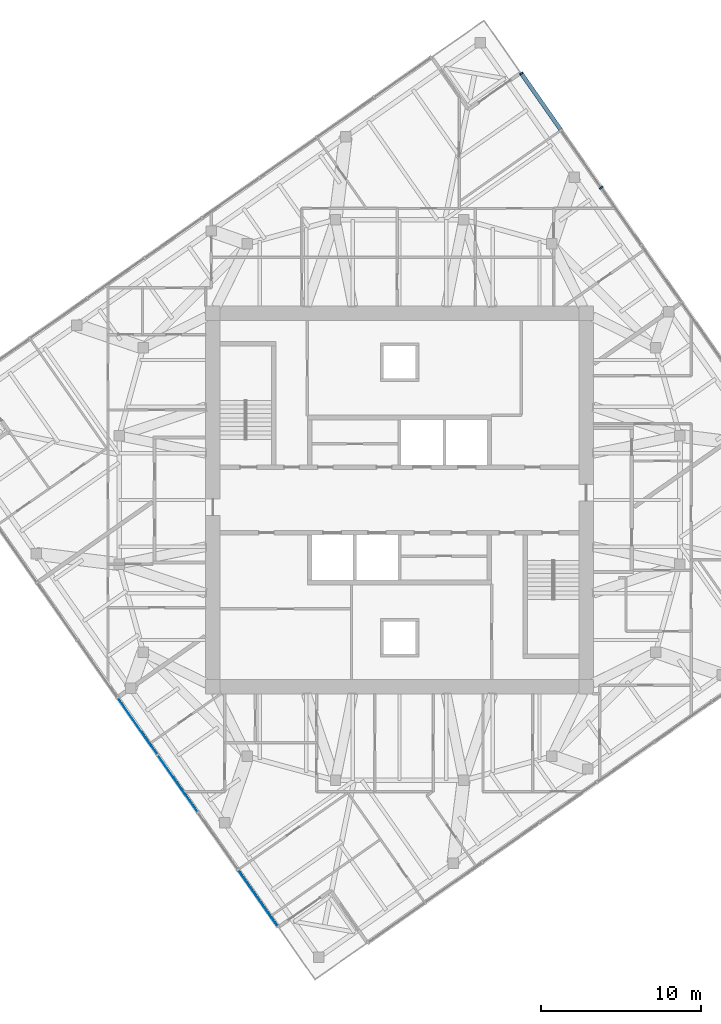
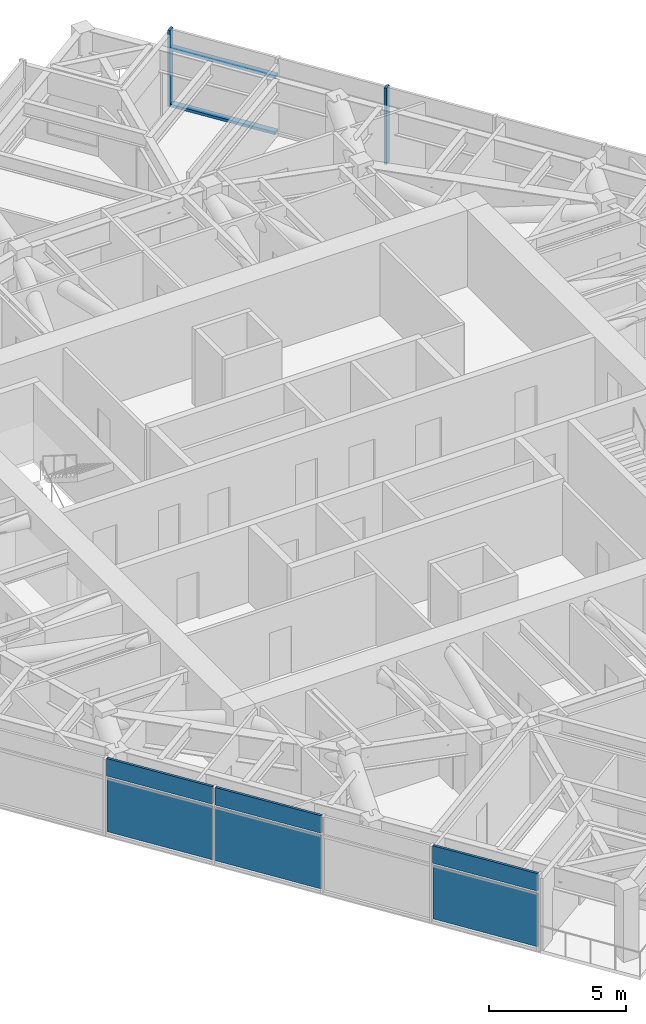
# One storey, part 7 of 15: 6 plates, 4 members, 2 elements without a shape of their own.
"""IFC4 building model written with IfcOpenShell, lengths in metres."""

import ifcopenshell
import ifcopenshell.guid

model = None  # the IFC model being written
_history = None  # IfcOwnerHistory: only IFC2X3 demands one
_inside = {}  # id of a spatial element -> (the spatial element, [elements in it])
_under = {}  # id of a project, library or spatial element -> (it, [spatial elements below it])
_declared = {}  # id of a project -> (the project, [libraries it declares])
_typed = {}  # id of a type object -> (the type object, [elements of that type])
_made_of = {}  # id of a material, layer set ... -> (it, [elements and type objects made of it])


def new_model(schema):
    """Start an empty IFC model of exactly this schema.

    Asked for "IFC4X3", IfcOpenShell would pick the latest addendum, in which some entities
    have other attributes; the version numbers below select the first issue.
    IFC2X3 requires an IfcOwnerHistory on every rooted entity: one is made here for all.
    """
    global model, _history
    if schema == "IFC4X3":
        model = ifcopenshell.file(schema_version=(4, 3, 0, 0))
    else:
        model = ifcopenshell.file(schema=schema)
    _inside.clear()
    _under.clear()
    _declared.clear()
    _typed.clear()
    _made_of.clear()
    _history = None
    if model.schema == "IFC2X3":
        org = make("IfcOrganization", Name="unknown")
        user = make(
            "IfcPersonAndOrganization",
            ThePerson=make("IfcPerson", FamilyName="unknown"),
            TheOrganization=org,
        )
        app = make(
            "IfcApplication",
            ApplicationDeveloper=org,
            Version="unknown",
            ApplicationFullName="unknown",
            ApplicationIdentifier="unknown",
        )
        _history = make(
            "IfcOwnerHistory",
            OwningUser=user,
            OwningApplication=app,
            ChangeAction="ADDED",
            CreationDate=0,
        )
    return model


def make(cls, **values):
    """One entity of the class cls with the attributes given. An attribute that is None is left unset."""
    return model.create_entity(
        cls, **{name: value for name, value in values.items() if value is not None}
    )


def rooted(cls, **values):
    """An entity with a GlobalId (a new one), such as an element, a storey or a relation."""
    return make(cls, GlobalId=ifcopenshell.guid.new(), OwnerHistory=_history, **values)


def si_unit(unit_type, name, prefix=None):
    """IfcSIUnit, for example si_unit("LENGTHUNIT", "METRE", prefix="MILLI")."""
    return make("IfcSIUnit", UnitType=unit_type, Prefix=prefix, Name=name)


def assignment(units):
    """IfcUnitAssignment: the units of a project."""
    return None if units is None else make("IfcUnitAssignment", Units=units)


def point(xyz):
    """IfcCartesianPoint."""
    return None if xyz is None else make("IfcCartesianPoint", Coordinates=xyz)


def direction(xyz):
    """IfcDirection."""
    return None if xyz is None else make("IfcDirection", DirectionRatios=xyz)


def frame(location, z_axis=None, x_axis=None):
    """IfcAxis2Placement3D, a coordinate frame: its origin and axes. An axis left out is left unset."""
    return make(
        "IfcAxis2Placement3D",
        Location=point(location),
        Axis=direction(z_axis),
        RefDirection=direction(x_axis),
    )


def frame_2d(location, x_axis=None):
    """IfcAxis2Placement2D, a coordinate frame in the plane: its origin and x axis."""
    return make(
        "IfcAxis2Placement2D", Location=point(location), RefDirection=direction(x_axis)
    )


def origin():
    """The frame at (0, 0, 0) with its axes left unset."""
    return frame((0.0, 0.0, 0.0))


def origin_2d():
    """The frame at (0, 0) in the plane with its x axis left unset."""
    return frame_2d((0.0, 0.0))


def place(relative_to, where):
    """IfcLocalPlacement: puts the frame where relative to a parent placement (None: the world)."""
    return make(
        "IfcLocalPlacement", PlacementRelTo=relative_to, RelativePlacement=where
    )


def context(
    kind, dimensions, precision=None, world=None, true_north=None, identifier=None
):
    """IfcGeometricRepresentationContext, for example the 3D "Model" context."""
    return make(
        "IfcGeometricRepresentationContext",
        ContextIdentifier=identifier,
        ContextType=kind,
        CoordinateSpaceDimension=dimensions,
        Precision=precision,
        WorldCoordinateSystem=world,
        TrueNorth=true_north,
    )


def subcontext(parent, identifier, kind, view, scale=None):
    """IfcGeometricRepresentationSubContext, for example "Body" below "Model"."""
    return make(
        "IfcGeometricRepresentationSubContext",
        ContextIdentifier=identifier,
        ContextType=kind,
        ParentContext=parent,
        TargetScale=scale,
        TargetView=view,
    )


def project(units=None, contexts=None):
    """IfcProject with its units and contexts."""
    return rooted(
        "IfcProject",
        Name="project",
        RepresentationContexts=contexts,
        UnitsInContext=assignment(units),
    )


def spatial(cls, under=None, at=None, **own):
    """A site, building, storey or space (cls), placed at a placement, below another one or the project."""
    s = rooted(cls, ObjectPlacement=at, **own)
    if under is not None:
        _under.setdefault(under.id(), (under, []))[1].append(s)
    return s


def profile(cls, at=None, kind="AREA", **sizes):
    """A parametric profile (cls). Its sizes go by their IFC names, for example OverallWidth=200.0."""
    return make(cls, ProfileType=kind, Position=at, **sizes)


def rectangle(**sizes):
    """IfcRectangleProfileDef."""
    return profile("IfcRectangleProfileDef", **sizes)


def extrude(swept, where, along, depth):
    """IfcExtrudedAreaSolid: the profile swept, set in the frame where, extruded along a direction by depth."""
    return make(
        "IfcExtrudedAreaSolid",
        SweptArea=swept,
        Position=where,
        ExtrudedDirection=direction(along),
        Depth=depth,
    )


def shape(context_of_items, identifier, shape_type, items):
    """IfcShapeRepresentation: the items that make up one representation, for example the "Body"."""
    return make(
        "IfcShapeRepresentation",
        ContextOfItems=context_of_items,
        RepresentationIdentifier=identifier,
        RepresentationType=shape_type,
        Items=items,
    )


def material(Name=None, Category=None):
    """IfcMaterial."""
    return make("IfcMaterial", Name=Name, Category=Category)


def layer(
    of_material, thickness, ventilated=None, Name=None, Category=None, Priority=None
):
    """IfcMaterialLayer: one layer of a wall or slab, of a material (None: an air gap)."""
    return make(
        "IfcMaterialLayer",
        Material=of_material,
        LayerThickness=thickness,
        IsVentilated=ventilated,
        Name=Name,
        Category=Category,
        Priority=Priority,
    )


def layer_set(layers, Name=None):
    """IfcMaterialLayerSet."""
    return make("IfcMaterialLayerSet", MaterialLayers=layers, LayerSetName=Name)


def material_profile(
    of_material, cross_section, Name=None, Category=None, Priority=None
):
    """IfcMaterialProfile: a cross section and its material."""
    return make(
        "IfcMaterialProfile",
        Name=Name,
        Material=of_material,
        Profile=cross_section,
        Priority=Priority,
        Category=Category,
    )


def profile_set(profiles, Name=None, composite=None):
    """IfcMaterialProfileSet."""
    return make(
        "IfcMaterialProfileSet",
        Name=Name,
        MaterialProfiles=profiles,
        CompositeProfile=composite,
    )


def made_of(thing, what):
    """Note that an element or type object is made of a material, layer set ...; save() writes the relation."""
    if what is not None:
        _made_of.setdefault(what.id(), (what, []))[1].append(thing)
    return thing


def type_object(cls, material=None, **own):
    """A type object (cls), such as IfcWallType, which elements share."""
    return made_of(rooted(cls, **own), material)


def element(
    cls,
    number,
    at=None,
    inside=None,
    cuts=None,
    type_object=None,
    material=None,
    context=None,
    identifier="Body",
    shape_type=None,
    held_by="IfcProductDefinitionShape",
    body=None,
    shapes=None,
    **own,
):
    """One element of the class cls, such as IfcWall. Its Tag is "e" and its number.

    at: its placement. inside: the storey or other place that contains it. cuts: it is an
    opening in that element (IfcRelVoidsElement). A single representation is given by context,
    identifier, shape_type and body (its items); several are given by shapes. held_by: the class
    of the entity that holds the representations. save() writes the other relations.
    """
    e = rooted(cls, Tag="e%d" % number, ObjectPlacement=at, **own)
    if body is not None:
        shapes = [shape(context, identifier, shape_type, body)]
    if shapes is not None:
        e.Representation = make(held_by, Representations=shapes)
    if inside is not None:
        _inside.setdefault(inside.id(), (inside, []))[1].append(e)
    if cuts is not None:
        rooted(
            "IfcRelVoidsElement", RelatingBuildingElement=cuts, RelatedOpeningElement=e
        )
    if type_object is not None:
        _typed.setdefault(type_object.id(), (type_object, []))[1].append(e)
    return made_of(e, material)


def aggregate(whole, parts):
    """IfcRelAggregates: a whole, such as a stair, and the parts it consists of."""
    return rooted("IfcRelAggregates", RelatingObject=whole, RelatedObjects=parts)


def save(model, path):
    """Write the relations noted so far, then the file.

    IfcRelAggregates (storeys below a building ...), IfcRelContainedInSpatialStructure (elements
    in a storey), IfcRelDefinesByType, IfcRelAssociatesMaterial and IfcRelDeclares: one each for
    every whole, place, type object, material and project.
    """
    for whole, parts in _under.values():
        aggregate(whole, parts)
    for where, things in _inside.values():
        rooted(
            "IfcRelContainedInSpatialStructure",
            RelatedElements=things,
            RelatingStructure=where,
        )
    for kind, things in _typed.values():
        rooted("IfcRelDefinesByType", RelatedObjects=things, RelatingType=kind)
    for what, things in _made_of.values():
        rooted("IfcRelAssociatesMaterial", RelatedObjects=things, RelatingMaterial=what)
    for by, libraries in _declared.values():
        rooted("IfcRelDeclares", RelatingContext=by, RelatedDefinitions=libraries)
    model.write(path)


model = new_model("IFC4")

# Units and contexts
model_context = context("Model", 3, precision=1e-05, world=origin(), true_north=direction((0.0, 1.0)))
body_context = subcontext(model_context, "Body", "Model", "MODEL_VIEW")
ifc_project = project(units=[si_unit("LENGTHUNIT", "METRE"), si_unit("AREAUNIT", "SQUARE_METRE"), si_unit("VOLUMEUNIT", "CUBIC_METRE"), si_unit("PLANEANGLEUNIT", "RADIAN"), si_unit("MASSUNIT", "GRAM", prefix="KILO")], contexts=[model_context])

# Site, building, storey
site_placement = place(None, origin())
site = spatial("IfcSite", under=ifc_project, at=site_placement, CompositionType="ELEMENT")
building_placement = place(site_placement, origin())
building = spatial("IfcBuilding", under=site, at=building_placement, Name="Torsade Residences", CompositionType="ELEMENT")
storey_placement = place(building_placement, frame((0.0, 0.0, 264.199951171875)))
storey = spatial("IfcBuildingStorey", under=building, at=storey_placement, Name="L73", CompositionType="ELEMENT", Elevation=264.199951171875)

# Curtain wall, members
ifc_material_1 = material(Name="Aluminium and glass", Category="aluminium")
curtain_wall_type = type_object("IfcCurtainWallType", Name="FRITTED GLASS CURTAIN WALL HIGH ZONE", PredefinedType="NOTDEFINED", material=ifc_material_1)
curtain_wall_1_placement = place(storey_placement, origin())
curtain_wall_1 = element("IfcCurtainWall", 1, at=curtain_wall_1_placement, inside=storey, type_object=curtain_wall_type, Name="Curtain wall L73 face 4", PredefinedType="NOTDEFINED")
ifc_material_2 = material(Name="Aluminium mullion", Category="aluminium")
ifc_material_profile_1 = material_profile(ifc_material_2, rectangle(XDim=0.25, YDim=0.10009765625, at=origin_2d()), Name="HIGH ZONE CURTAIN WALL MULLION 250x100")
ifc_profile_set_1 = profile_set([ifc_material_profile_1], Name="Aluminium mullion")
member_type_1 = type_object("IfcMemberType", Name="HIGH ZONE CURTAIN WALL MULLION 250x100", PredefinedType="MULLION", material=ifc_profile_set_1)
member_1_placement = place(storey_placement, frame((52.593017578125, 49.49951171875, 0.0), z_axis=(0.0, 0.0, 1.0), x_axis=(-0.819152029353, -0.573576457682, 0.0)))
member_1 = element("IfcMember", 2, at=member_1_placement, type_object=member_type_1, Name="Mullion 7", PredefinedType="MULLION", context=body_context, shape_type="SweptSolid", body=[
    extrude(rectangle(XDim=0.25, YDim=0.10009765625, at=origin_2d()), origin(), (0.0, 0.0, 1.0), 3.400146484375),
])
member_2_placement = place(storey_placement, frame((47.602783203125, 56.6259765625, 0.0), z_axis=(0.0, 0.0, 1.0), x_axis=(-0.819152029353, -0.573576457682, 0.0)))
member_2 = element("IfcMember", 3, at=member_2_placement, type_object=member_type_1, Name="Mullion 9", PredefinedType="MULLION", context=body_context, shape_type="SweptSolid", body=[
    extrude(rectangle(XDim=0.25, YDim=0.10009765625, at=origin_2d()), origin(), (0.0, 0.0, 1.0), 3.400146484375),
])
ifc_material_3 = material(Name="Aluminium transom", Category="aluminium")
ifc_material_profile_2 = material_profile(ifc_material_3, rectangle(XDim=0.25, YDim=0.1201171875, at=origin_2d()), Name="HIGH ZONE CURTAIN WALL TRANSOM 250x120")
ifc_profile_set_2 = profile_set([ifc_material_profile_2], Name="Aluminium transom")
member_type_2 = type_object("IfcMemberType", Name="HIGH ZONE CURTAIN WALL TRANSOM 250x120", PredefinedType="USERDEFINED", material=ifc_profile_set_2)
member_3_placement = place(storey_placement, frame((50.054931640625, 53.124267578125, 0.06005859375), z_axis=(-0.573570928023, 0.819155901234, 0.0), x_axis=(-0.819155901234, -0.573570928023, 0.0)))
member_3 = element("IfcMember", 4, at=member_3_placement, type_object=member_type_2, Name="Transom 8.1", ObjectType="TRANSOM", PredefinedType="USERDEFINED", context=body_context, shape_type="SweptSolid", body=[
    extrude(rectangle(XDim=0.25, YDim=0.1201171875, at=origin_2d()), origin(), (0.0, 0.0, 1.0), 4.22509765625),
])
member_4_placement = place(storey_placement, frame((50.054931640625, 53.124267578125, 2.56005859375), z_axis=(-0.573570928023, 0.819155901234, 0.0), x_axis=(-0.819155901234, -0.573570928023, 0.0)))
member_4 = element("IfcMember", 5, at=member_4_placement, type_object=member_type_2, Name="Transom 8.2", ObjectType="TRANSOM", PredefinedType="USERDEFINED", context=body_context, shape_type="SweptSolid", body=[
    extrude(rectangle(XDim=0.25, YDim=0.1201171875, at=origin_2d()), origin(), (0.0, 0.0, 1.0), 4.22509765625),
])
aggregate(curtain_wall_1, [member_1, member_2, member_3, member_4])

# Curtain wall, plates
curtain_wall_2_placement = place(storey_placement, origin())
curtain_wall_2 = element("IfcCurtainWall", 6, at=curtain_wall_2_placement, inside=storey, type_object=curtain_wall_type, Name="Curtain wall L73 face 10", PredefinedType="NOTDEFINED")
ifc_material_4 = material(Name="Laminated glass", Category="glass")
ifc_layer_1 = layer(ifc_material_4, 0.031982421875)
ifc_layer_set_1 = layer_set([ifc_layer_1], Name="Laminated glass")
plate_type_1 = type_object("IfcPlateType", Name="FRITTED GLASS PANEL", PredefinedType="CURTAIN_PANEL", material=ifc_layer_set_1)
plate_1_placement = place(storey_placement, frame((23.642822265625, 15.876220703125, 0.1201171875), z_axis=(0.0, 0.0, 1.0), x_axis=(0.573576457682, -0.819152029353, 0.0)))
plate_1 = element("IfcPlate", 7, at=plate_1_placement, type_object=plate_type_1, Name="Panel 5", PredefinedType="CURTAIN_PANEL", context=body_context, shape_type="SweptSolid", body=[
    extrude(rectangle(XDim=4.27490234375, YDim=0.031982421875, at=origin_2d()), origin(), (0.0, 0.0, 1.0), 2.3798828125),
])
plate_2_placement = place(storey_placement, frame((31.15673828125, 5.145263671875, 0.1201171875), z_axis=(0.0, 0.0, 1.0), x_axis=(0.573576457682, -0.819152029353, 0.0)))
plate_2 = element("IfcPlate", 8, at=plate_2_placement, type_object=plate_type_1, Name="Panel 8", PredefinedType="CURTAIN_PANEL", context=body_context, shape_type="SweptSolid", body=[
    extrude(rectangle(XDim=4.22509765625, YDim=0.031982421875, at=origin_2d()), origin(), (0.0, 0.0, 1.0), 2.3798828125),
])
ifc_material_5 = material(Name="Aluminium composite spandrel panel", Category="aluminium")
ifc_layer_2 = layer(ifc_material_5, 0.10009765625)
ifc_layer_set_2 = layer_set([ifc_layer_2], Name="Aluminium composite spandrel panel")
plate_type_2 = type_object("IfcPlateType", Name="OPAQUE SPANDREL PANEL", PredefinedType="CURTAIN_PANEL", material=ifc_layer_set_2)
plate_3_placement = place(storey_placement, frame((23.642822265625, 15.876220703125, 2.6201171875), z_axis=(0.0, 0.0, 1.0), x_axis=(0.573576457682, -0.819152029353, 0.0)))
plate_3 = element("IfcPlate", 9, at=plate_3_placement, type_object=plate_type_2, Name="Spandrel panel 5", PredefinedType="CURTAIN_PANEL", context=body_context, shape_type="SweptSolid", body=[
    extrude(rectangle(XDim=4.27490234375, YDim=0.10009765625, at=origin_2d()), origin(), (0.0, 0.0, 1.0), 0.780029296875),
])
plate_4_placement = place(storey_placement, frame((26.15234375, 12.29248046875, 2.6201171875), z_axis=(0.0, 0.0, 1.0), x_axis=(0.573576457682, -0.819152029353, 0.0)))
plate_4 = element("IfcPlate", 10, at=plate_4_placement, type_object=plate_type_2, Name="Spandrel panel 6", PredefinedType="CURTAIN_PANEL", context=body_context, shape_type="SweptSolid", body=[
    extrude(rectangle(XDim=4.27490234375, YDim=0.10009765625, at=origin_2d()), origin(), (0.0, 0.0, 1.0), 0.780029296875),
])
plate_5_placement = place(storey_placement, frame((31.15673828125, 5.145263671875, 2.6201171875), z_axis=(0.0, 0.0, 1.0), x_axis=(0.573576457682, -0.819152029353, 0.0)))
plate_5 = element("IfcPlate", 11, at=plate_5_placement, type_object=plate_type_2, Name="Spandrel panel 8", PredefinedType="CURTAIN_PANEL", context=body_context, shape_type="SweptSolid", body=[
    extrude(rectangle(XDim=4.22509765625, YDim=0.10009765625, at=origin_2d()), origin(), (0.0, 0.0, 1.0), 0.780029296875),
])
ifc_material_6 = material(Name="Laminated glass", Category="glass")
ifc_layer_3 = layer(ifc_material_6, 0.0400390625)
ifc_layer_set_3 = layer_set([ifc_layer_3], Name="Laminated glass")
plate_type_3 = type_object("IfcPlateType", Name="OPERABLE VENT PANEL", PredefinedType="CURTAIN_PANEL", material=ifc_layer_set_3)
plate_6_placement = place(storey_placement, frame((26.15234375, 12.29248046875, 0.1201171875), z_axis=(0.0, 0.0, 1.0), x_axis=(0.573576457682, -0.819152029353, 0.0)))
plate_6 = element("IfcPlate", 12, at=plate_6_placement, type_object=plate_type_3, Name="Panel 6", PredefinedType="CURTAIN_PANEL", context=body_context, shape_type="SweptSolid", body=[
    extrude(rectangle(XDim=4.27490234375, YDim=0.0400390625, at=origin_2d()), origin(), (0.0, 0.0, 1.0), 2.3798828125),
])
aggregate(curtain_wall_2, [plate_1, plate_3, plate_6, plate_4, plate_2, plate_5])

save(model, "model.ifc")
